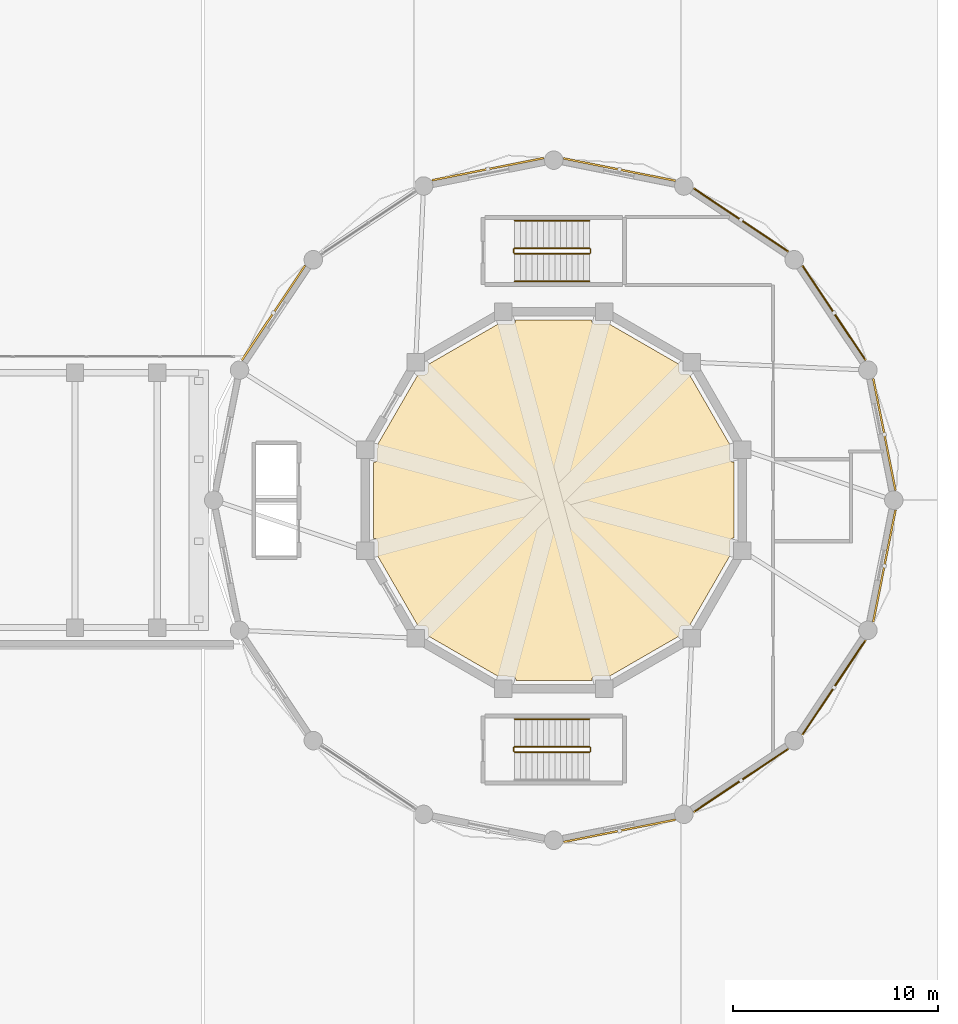
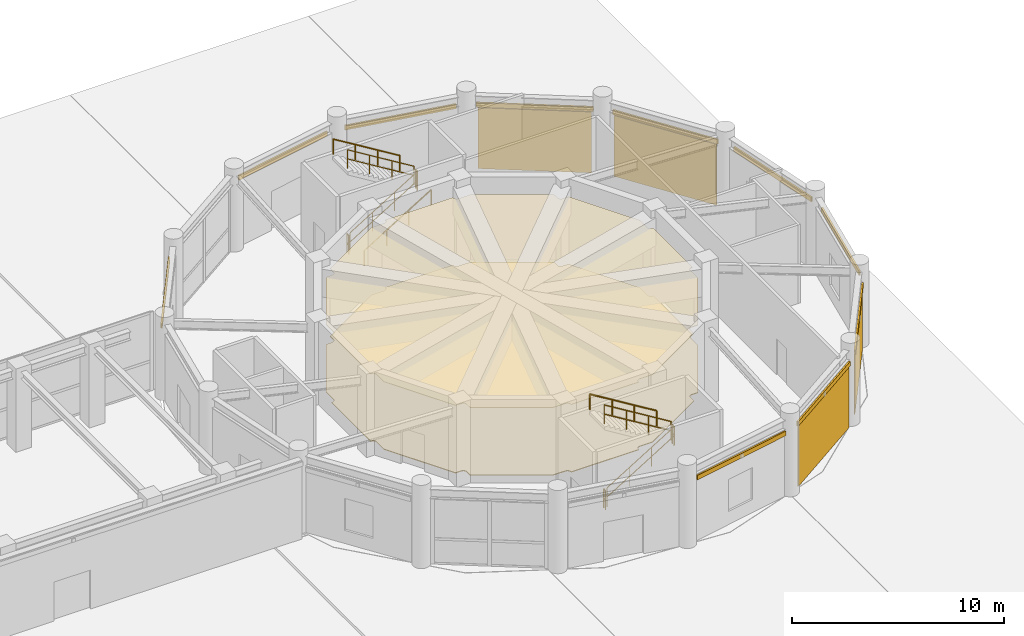
# One storey, part 38 of 40: 11 railings, 10 shading devices, 6 coverings.
"""IFC4 building model written with IfcOpenShell, lengths in metres."""

from ifc_helpers import new_model, si_unit, derived_unit, direction, frame, origin, origin_2d, place, context, subcontext, project, spatial, polyline, hollow_rectangle, circle, outline, extrude, source, transform, mapped, material, layer, layer_set, material_profile, profile_set, type_object, element, save


model = new_model("IFC4")

# Units and contexts
model_context = context("Model", 3, precision=1e-05, world=origin(), true_north=direction((0.0, 1.0)))
body_context = subcontext(model_context, "Body", "Model", "MODEL_VIEW")
ifc_project = project(units=[si_unit("LENGTHUNIT", "METRE"), si_unit("AREAUNIT", "SQUARE_METRE"), si_unit("VOLUMEUNIT", "CUBIC_METRE"), si_unit("PLANEANGLEUNIT", "RADIAN"), si_unit("MASSUNIT", "GRAM", prefix="KILO"), derived_unit("THERMALTRANSMITTANCEUNIT", [(si_unit("POWERUNIT", "WATT"), 1), (si_unit("LENGTHUNIT", "METRE"), -2), (si_unit("THERMODYNAMICTEMPERATUREUNIT", "KELVIN"), -1)])], contexts=[model_context])

# Site, building, storey
site_placement = place(None, origin())
site = spatial("IfcSite", under=ifc_project, at=site_placement, CompositionType="ELEMENT")
building_placement = place(site_placement, origin())
building = spatial("IfcBuilding", under=site, at=building_placement, Name="Korsvarv Bourse and Concert Hall", CompositionType="ELEMENT")
storey_placement = place(building_placement, origin())
storey = spatial("IfcBuildingStorey", under=building, at=storey_placement, Name="L00", CompositionType="ELEMENT", Elevation=0.0)

# Coverings
ifc_material_1 = material(Name="Perforated mineral-wool and birch acoustic baffle ceiling", Category="wood")
ifc_layer_1 = layer(ifc_material_1, 0.02490234375)
ifc_layer_set_1 = layer_set([ifc_layer_1], Name="Perforated mineral-wool and birch acoustic baffle ceiling")
covering_type_1 = type_object("IfcCoveringType", Name="COV-CEIL-1", PredefinedType="CEILING", material=ifc_layer_set_1)
covering_1_placement = place(storey_placement, frame((0.0, 0.0, 3.89990234375)))
element("IfcCovering", 1, at=covering_1_placement, inside=storey, type_object=covering_type_1, Name="L00 acoustic baffle ceiling 1", PredefinedType="CEILING", context=body_context, shape_type="SweptSolid", body=[
    extrude(outline(polyline([(115.55126953125, 34.15625), (115.5166015625, 34.15283203125), (115.48291015625, 34.142578125), (115.451904296875, 34.12646484375), (115.4248046875, 34.104248046875), (115.402587890625, 34.077392578125), (115.3857421875, 34.046630859375), (115.375244140625, 34.013427734375), (115.371337890625, 33.978515625), (115.36181640625, 33.277099609375), (113.41064453125, 29.8974609375), (113.092529296875, 29.8974609375), (113.057861328125, 29.89404296875), (113.024658203125, 29.88427734375), (112.993896484375, 29.867919921875), (112.966796875, 29.84619140625), (112.9443359375, 29.819580078125), (112.927490234375, 29.789306640625), (112.916748046875, 29.756103515625), (112.91259765625, 29.7216796875), (112.90478515625, 29.390625), (109.52392578125, 27.438720703125), (108.833740234375, 27.438720703125), (108.7998046875, 27.435302734375), (108.766845703125, 27.42578125), (108.736328125, 27.41015625), (108.70947265625, 27.388916015625), (108.68701171875, 27.363037109375), (108.669921875, 27.333251953125), (108.65869140625, 27.301025390625), (108.654052734375, 27.26708984375), (108.652099609375, 27.2236328125), (104.956298828125, 27.2236328125), (104.956298828125, 27.248779296875), (104.952880859375, 27.283447265625), (104.942626953125, 27.31689453125), (104.926513671875, 27.347900390625), (104.904296875, 27.375), (104.87744140625, 27.3974609375), (104.8466796875, 27.414306640625), (104.8134765625, 27.4248046875), (104.778564453125, 27.4287109375), (104.0771484375, 27.43798828125), (100.697509765625, 29.389404296875), (100.697509765625, 29.70751953125), (100.694091796875, 29.7421875), (100.68408203125, 29.775390625), (100.66796875, 29.80615234375), (100.646240234375, 29.833251953125), (100.61962890625, 29.855712890625), (100.58935546875, 29.87255859375), (100.55615234375, 29.88330078125), (100.521728515625, 29.887451171875), (100.190673828125, 29.89501953125), (98.23876953125, 33.27587890625), (98.23876953125, 33.96630859375), (98.2353515625, 34.000244140625), (98.225830078125, 34.033203125), (98.210205078125, 34.063720703125), (98.18896484375, 34.090576171875), (98.1630859375, 34.11279296875), (98.13330078125, 34.1298828125), (98.10107421875, 34.14111328125), (98.067138671875, 34.14599609375), (98.023681640625, 34.14794921875), (98.023681640625, 37.84375), (98.048583984375, 37.84375), (98.08349609375, 37.84716796875), (98.116943359375, 37.857421875), (98.14794921875, 37.87353515625), (98.175048828125, 37.895751953125), (98.197509765625, 37.922607421875), (98.21435546875, 37.953369140625), (98.224853515625, 37.986572265625), (98.228759765625, 38.021484375), (98.238037109375, 38.722900390625), (100.189208984375, 42.1025390625), (100.507568359375, 42.1025390625), (100.5419921875, 42.10595703125), (100.575439453125, 42.11572265625), (100.606201171875, 42.132080078125), (100.63330078125, 42.15380859375), (100.65576171875, 42.180419921875), (100.672607421875, 42.210693359375), (100.683349609375, 42.243896484375), (100.6875, 42.2783203125), (100.695068359375, 42.609375), (104.075927734375, 44.561279296875), (104.76611328125, 44.561279296875), (104.80029296875, 44.564697265625), (104.8330078125, 44.57421875), (104.863525390625, 44.58984375), (104.890380859375, 44.611083984375), (104.912841796875, 44.636962890625), (104.929931640625, 44.666748046875), (104.941162109375, 44.698974609375), (104.946044921875, 44.73291015625), (104.947998046875, 44.7763671875), (108.643798828125, 44.7763671875), (108.643798828125, 44.751220703125), (108.647216796875, 44.716552734375), (108.6572265625, 44.68310546875), (108.673583984375, 44.652099609375), (108.69580078125, 44.625), (108.72265625, 44.6025390625), (108.75341796875, 44.585693359375), (108.78662109375, 44.5751953125), (108.8212890625, 44.5712890625), (109.52294921875, 44.56201171875), (112.902587890625, 42.610595703125), (112.902587890625, 42.29248046875), (112.906005859375, 42.2578125), (112.915771484375, 42.224609375), (112.931884765625, 42.19384765625), (112.953857421875, 42.166748046875), (112.980224609375, 42.144287109375), (113.0107421875, 42.12744140625), (113.043701171875, 42.11669921875), (113.078369140625, 42.112548828125), (113.4091796875, 42.10498046875), (115.361328125, 38.72412109375), (115.361328125, 38.03369140625), (115.364501953125, 37.999755859375), (115.374267578125, 37.966796875), (115.389892578125, 37.936279296875), (115.4111328125, 37.909423828125), (115.43701171875, 37.88720703125), (115.466796875, 37.8701171875), (115.4990234375, 37.85888671875), (115.532958984375, 37.85400390625), (115.576416015625, 37.85205078125), (115.576416015625, 34.15625), (115.55126953125, 34.15625)])), origin(), (0.0, 0.0, 1.0), 0.025146484375),
])
ifc_material_2 = material(Name="Warm iron-oxide extruded terracotta rainscreen tile", Category="ceramic")
ifc_layer_2 = layer(ifc_material_2, 0.044921875)
ifc_layer_set_2 = layer_set([ifc_layer_2], Name="Warm iron-oxide extruded terracotta rainscreen tile")
covering_type_2 = type_object("IfcCoveringType", Name="COV-CLD-TC", PredefinedType="CLADDING", material=ifc_layer_set_2)
covering_2_placement = place(storey_placement, origin())
element("IfcCovering", 2, at=covering_2_placement, inside=storey, type_object=covering_type_2, Name="L00 fluted terracotta cladding panel EW-L00-CHD02", PredefinedType="CLADDING", context=body_context, shape_type="SweptSolid", body=[
    extrude(outline(polyline([(121.9052734375, 42.853271484375), (118.912109375, 47.332763671875), (118.949462890625, 47.35791015625), (121.942626953125, 42.878173828125), (121.9052734375, 42.853271484375)])), origin(), (0.0, 0.0, 1.0), 3.510009765625),
])
covering_3_placement = place(storey_placement, origin())
element("IfcCovering", 3, at=covering_3_placement, inside=storey, type_object=covering_type_2, Name="L00 fluted terracotta cladding panel EW-L00-CHD03", PredefinedType="CLADDING", context=body_context, shape_type="SweptSolid", body=[
    extrude(outline(polyline([(118.1328125, 48.112060546875), (113.6533203125, 51.105224609375), (113.67822265625, 51.142578125), (118.15771484375, 48.1494140625), (118.1328125, 48.112060546875)])), origin(), (0.0, 0.0, 1.0), 3.510009765625),
])
covering_4_placement = place(storey_placement, origin())
element("IfcCovering", 4, at=covering_4_placement, inside=storey, type_object=covering_type_2, Name="L00 fluted terracotta cladding panel EW-L00-CHD14", PredefinedType="CLADDING", context=body_context, shape_type="SweptSolid", body=[
    extrude(outline(polyline([(113.6533203125, 20.894775390625), (118.1328125, 23.887939453125), (118.15771484375, 23.8505859375), (113.67822265625, 20.857421875), (113.6533203125, 20.894775390625)])), origin(), (0.0, 0.0, 1.0), 3.510009765625),
])
covering_5_placement = place(storey_placement, origin())
element("IfcCovering", 5, at=covering_5_placement, inside=storey, type_object=covering_type_2, Name="L00 fluted terracotta cladding panel EW-L00-CHD15", PredefinedType="CLADDING", context=body_context, shape_type="SweptSolid", body=[
    extrude(outline(polyline([(118.912109375, 24.667236328125), (121.9052734375, 29.146728515625), (121.942626953125, 29.121826171875), (118.949462890625, 24.64208984375), (118.912109375, 24.667236328125)])), origin(), (0.0, 0.0, 1.0), 3.510009765625),
])
ifc_material_3 = material(Name="Calcium-sulphate raised access trading floor with Nordic oak top", Category="wood")
ifc_layer_3 = layer(ifc_material_3, 0.0400390625)
ifc_layer_set_3 = layer_set([ifc_layer_3], Name="Calcium-sulphate raised access trading floor with Nordic oak top")
covering_type_3 = type_object("IfcCoveringType", Name="COV-FLOR-1", PredefinedType="FLOORING", material=ifc_layer_set_3)
covering_6_placement = place(storey_placement, origin())
element("IfcCovering", 6, at=covering_6_placement, inside=storey, type_object=covering_type_3, Name="L00 raised access oak floor finish 1", PredefinedType="FLOORING", context=body_context, shape_type="SweptSolid", body=[
    extrude(outline(polyline([(115.55126953125, 34.15625), (115.5166015625, 34.15283203125), (115.48291015625, 34.142578125), (115.451904296875, 34.12646484375), (115.4248046875, 34.104248046875), (115.402587890625, 34.077392578125), (115.3857421875, 34.046630859375), (115.375244140625, 34.013427734375), (115.371337890625, 33.978515625), (115.36181640625, 33.277099609375), (113.41064453125, 29.8974609375), (113.092529296875, 29.8974609375), (113.057861328125, 29.89404296875), (113.024658203125, 29.88427734375), (112.993896484375, 29.867919921875), (112.966796875, 29.84619140625), (112.9443359375, 29.819580078125), (112.927490234375, 29.789306640625), (112.916748046875, 29.756103515625), (112.91259765625, 29.7216796875), (112.90478515625, 29.390625), (109.52392578125, 27.438720703125), (108.833740234375, 27.438720703125), (108.7998046875, 27.435302734375), (108.766845703125, 27.42578125), (108.736328125, 27.41015625), (108.70947265625, 27.388916015625), (108.68701171875, 27.363037109375), (108.669921875, 27.333251953125), (108.65869140625, 27.301025390625), (108.654052734375, 27.26708984375), (108.652099609375, 27.2236328125), (104.956298828125, 27.2236328125), (104.956298828125, 27.248779296875), (104.952880859375, 27.283447265625), (104.942626953125, 27.31689453125), (104.926513671875, 27.347900390625), (104.904296875, 27.375), (104.87744140625, 27.3974609375), (104.8466796875, 27.414306640625), (104.8134765625, 27.4248046875), (104.778564453125, 27.4287109375), (104.0771484375, 27.43798828125), (100.697509765625, 29.389404296875), (100.697509765625, 29.70751953125), (100.694091796875, 29.7421875), (100.68408203125, 29.775390625), (100.66796875, 29.80615234375), (100.646240234375, 29.833251953125), (100.61962890625, 29.855712890625), (100.58935546875, 29.87255859375), (100.55615234375, 29.88330078125), (100.521728515625, 29.887451171875), (100.190673828125, 29.89501953125), (98.23876953125, 33.27587890625), (98.23876953125, 33.96630859375), (98.2353515625, 34.000244140625), (98.225830078125, 34.033203125), (98.210205078125, 34.063720703125), (98.18896484375, 34.090576171875), (98.1630859375, 34.11279296875), (98.13330078125, 34.1298828125), (98.10107421875, 34.14111328125), (98.067138671875, 34.14599609375), (98.023681640625, 34.14794921875), (98.023681640625, 37.84375), (98.048583984375, 37.84375), (98.08349609375, 37.84716796875), (98.116943359375, 37.857421875), (98.14794921875, 37.87353515625), (98.175048828125, 37.895751953125), (98.197509765625, 37.922607421875), (98.21435546875, 37.953369140625), (98.224853515625, 37.986572265625), (98.228759765625, 38.021484375), (98.238037109375, 38.722900390625), (100.189208984375, 42.1025390625), (100.507568359375, 42.1025390625), (100.5419921875, 42.10595703125), (100.575439453125, 42.11572265625), (100.606201171875, 42.132080078125), (100.63330078125, 42.15380859375), (100.65576171875, 42.180419921875), (100.672607421875, 42.210693359375), (100.683349609375, 42.243896484375), (100.6875, 42.2783203125), (100.695068359375, 42.609375), (104.075927734375, 44.561279296875), (104.76611328125, 44.561279296875), (104.80029296875, 44.564697265625), (104.8330078125, 44.57421875), (104.863525390625, 44.58984375), (104.890380859375, 44.611083984375), (104.912841796875, 44.636962890625), (104.929931640625, 44.666748046875), (104.941162109375, 44.698974609375), (104.946044921875, 44.73291015625), (104.947998046875, 44.7763671875), (108.643798828125, 44.7763671875), (108.643798828125, 44.751220703125), (108.647216796875, 44.716552734375), (108.6572265625, 44.68310546875), (108.673583984375, 44.652099609375), (108.69580078125, 44.625), (108.72265625, 44.6025390625), (108.75341796875, 44.585693359375), (108.78662109375, 44.5751953125), (108.8212890625, 44.5712890625), (109.52294921875, 44.56201171875), (112.902587890625, 42.610595703125), (112.902587890625, 42.29248046875), (112.906005859375, 42.2578125), (112.915771484375, 42.224609375), (112.931884765625, 42.19384765625), (112.953857421875, 42.166748046875), (112.980224609375, 42.144287109375), (113.0107421875, 42.12744140625), (113.043701171875, 42.11669921875), (113.078369140625, 42.112548828125), (113.4091796875, 42.10498046875), (115.361328125, 38.72412109375), (115.361328125, 38.03369140625), (115.364501953125, 37.999755859375), (115.374267578125, 37.966796875), (115.389892578125, 37.936279296875), (115.4111328125, 37.909423828125), (115.43701171875, 37.88720703125), (115.466796875, 37.8701171875), (115.4990234375, 37.85888671875), (115.532958984375, 37.85400390625), (115.576416015625, 37.85205078125), (115.576416015625, 34.15625), (115.55126953125, 34.15625)])), origin(), (0.0, 0.0, 1.0), 0.0400390625),
])

# Railings
ifc_material_4 = material(Name="Painted Steel S355 stair well guardrail", Category="steel")
railing_type_1 = type_object("IfcRailingType", Name="RL-ST-GRD", PredefinedType="GUARDRAIL", material=ifc_material_4)
railing_1_placement = place(storey_placement, frame((104.89990234375, 48.0, 0.17138671875)))
element("IfcRailing", 7, at=railing_1_placement, inside=storey, type_object=railing_type_1, Name="L00 ST-CH1 stair guard 1", PredefinedType="GUARDRAIL", context=body_context, shape_type="SweptSolid", body=[
    extrude(circle(Radius=0.02392578125, at=origin_2d()), frame((0.0, 0.0, 1.076171875), z_axis=(0.852865859571, 0.0, 0.52213008492), x_axis=(0.0, 1.0, 0.0)), (0.0, 0.0, 1.0), 4.26806640625),
    extrude(circle(Radius=0.02392578125, at=origin_2d()), frame((0.0, 0.0, 0.550048828125), z_axis=(0.852865859571, 0.0, 0.52213008492), x_axis=(0.0, 1.0, 0.0)), (0.0, 0.0, 1.0), 4.26806640625),
    extrude(circle(Radius=0.02099609375, at=origin_2d()), origin(), (0.0, 0.0, 1.0), 1.052001953125),
    extrude(circle(Radius=0.02099609375, at=origin_2d()), frame((1.21337890625, 0.0, 0.742919921875)), (0.0, 0.0, 1.0), 1.052001953125),
    extrude(circle(Radius=0.02099609375, at=origin_2d()), frame((2.4267578125, 0.0, 1.485595703125)), (0.0, 0.0, 1.0), 1.052001953125),
    extrude(circle(Radius=0.02099609375, at=origin_2d()), frame((3.64013671875, 0.0, 2.228515625)), (0.0, 0.0, 1.0), 1.052001953125),
])
railing_2_placement = place(storey_placement, frame((108.590087890625, 48.050048828125, 2.39990234375)))
element("IfcRailing", 8, at=railing_2_placement, inside=storey, type_object=railing_type_1, Name="L00 ST-CH1 stair guard 2", PredefinedType="GUARDRAIL", context=body_context, shape_type="SweptSolid", body=[
    extrude(circle(Radius=0.02392578125, at=origin_2d()), frame((0.0, 0.0, 1.076171875), z_axis=(0.0, 1.0, 0.0), x_axis=(-1.0, 0.0, 0.0)), (0.0, 0.0, 1.0), 0.159912109375),
    extrude(circle(Radius=0.02392578125, at=origin_2d()), frame((0.0, 0.0, 0.550048828125), z_axis=(0.0, 1.0, 0.0), x_axis=(-1.0, 0.0, 0.0)), (0.0, 0.0, 1.0), 0.159912109375),
    extrude(circle(Radius=0.02099609375, at=origin_2d()), origin(), (0.0, 0.0, 1.0), 1.052001953125),
    extrude(circle(Radius=0.02099609375, at=origin_2d()), frame((0.0, 0.159912109375, 0.0)), (0.0, 0.0, 1.0), 1.052001953125),
])
railing_3_placement = place(storey_placement, frame((108.5400390625, 48.260009765625, 2.571533203125)))
element("IfcRailing", 9, at=railing_3_placement, inside=storey, type_object=railing_type_1, Name="L00 ST-CH1 stair guard 3", PredefinedType="GUARDRAIL", context=body_context, shape_type="SweptSolid", body=[
    extrude(circle(Radius=0.02392578125, at=origin_2d()), frame((0.0, 0.0, 1.076171875), z_axis=(-0.852865859571, 0.0, 0.52213008492), x_axis=(0.0, -1.0, 0.0)), (0.0, 0.0, 1.0), 4.26806640625),
    extrude(circle(Radius=0.02392578125, at=origin_2d()), frame((0.0, 0.0, 0.550048828125), z_axis=(-0.852865859571, 0.0, 0.52213008492), x_axis=(0.0, -1.0, 0.0)), (0.0, 0.0, 1.0), 4.26806640625),
    extrude(circle(Radius=0.02099609375, at=origin_2d()), origin(), (0.0, 0.0, 1.0), 1.052001953125),
    extrude(circle(Radius=0.02099609375, at=origin_2d()), frame((-1.21337890625, 0.0, 0.742919921875)), (0.0, 0.0, 1.0), 1.052001953125),
    extrude(circle(Radius=0.02099609375, at=origin_2d()), frame((-2.4267578125, 0.0, 1.485595703125)), (0.0, 0.0, 1.0), 1.052001953125),
    extrude(circle(Radius=0.02099609375, at=origin_2d()), frame((-3.64013671875, 0.0, 2.228515625)), (0.0, 0.0, 1.0), 1.052001953125),
])
railing_4_placement = place(storey_placement, frame((104.85009765625, 48.050048828125, 0.0)))
element("IfcRailing", 10, at=railing_4_placement, inside=storey, type_object=railing_type_1, Name="L00 ST-CH1 stair guard 4", PredefinedType="GUARDRAIL", context=body_context, shape_type="SweptSolid", body=[
    extrude(circle(Radius=0.02392578125, at=origin_2d()), frame((0.0, 0.0, 1.076171875), z_axis=(0.0, 1.0, 0.0), x_axis=(-1.0, 0.0, 0.0)), (0.0, 0.0, 1.0), 0.159912109375),
    extrude(circle(Radius=0.02392578125, at=origin_2d()), frame((0.0, 0.0, 0.550048828125), z_axis=(0.0, 1.0, 0.0), x_axis=(-1.0, 0.0, 0.0)), (0.0, 0.0, 1.0), 0.159912109375),
    extrude(circle(Radius=0.02099609375, at=origin_2d()), origin(), (0.0, 0.0, 1.0), 1.052001953125),
    extrude(circle(Radius=0.02099609375, at=origin_2d()), frame((0.0, 0.159912109375, 0.0)), (0.0, 0.0, 1.0), 1.052001953125),
])
railing_5_placement = place(storey_placement, frame((104.89990234375, 23.739990234375, 0.17138671875)))
element("IfcRailing", 11, at=railing_5_placement, inside=storey, type_object=railing_type_1, Name="L00 ST-CH2 stair guard 1", PredefinedType="GUARDRAIL", context=body_context, shape_type="SweptSolid", body=[
    extrude(circle(Radius=0.02392578125, at=origin_2d()), frame((0.0, 0.0, 1.076171875), z_axis=(0.852865859571, 0.0, 0.52213008492), x_axis=(0.0, 1.0, 0.0)), (0.0, 0.0, 1.0), 4.26806640625),
    extrude(circle(Radius=0.02392578125, at=origin_2d()), frame((0.0, 0.0, 0.550048828125), z_axis=(0.852865859571, 0.0, 0.52213008492), x_axis=(0.0, 1.0, 0.0)), (0.0, 0.0, 1.0), 4.26806640625),
    extrude(circle(Radius=0.02099609375, at=origin_2d()), origin(), (0.0, 0.0, 1.0), 1.052001953125),
    extrude(circle(Radius=0.02099609375, at=origin_2d()), frame((1.21337890625, 0.0, 0.742919921875)), (0.0, 0.0, 1.0), 1.052001953125),
    extrude(circle(Radius=0.02099609375, at=origin_2d()), frame((2.4267578125, 0.0, 1.485595703125)), (0.0, 0.0, 1.0), 1.052001953125),
    extrude(circle(Radius=0.02099609375, at=origin_2d()), frame((3.64013671875, 0.0, 2.228515625)), (0.0, 0.0, 1.0), 1.052001953125),
])
railing_6_placement = place(storey_placement, frame((108.590087890625, 23.7900390625, 2.39990234375)))
element("IfcRailing", 12, at=railing_6_placement, inside=storey, type_object=railing_type_1, Name="L00 ST-CH2 stair guard 2", PredefinedType="GUARDRAIL", context=body_context, shape_type="SweptSolid", body=[
    extrude(circle(Radius=0.02392578125, at=origin_2d()), frame((0.0, 0.0, 1.076171875), z_axis=(0.0, 1.0, 0.0), x_axis=(-1.0, 0.0, 0.0)), (0.0, 0.0, 1.0), 0.159912109375),
    extrude(circle(Radius=0.02392578125, at=origin_2d()), frame((0.0, 0.0, 0.550048828125), z_axis=(0.0, 1.0, 0.0), x_axis=(-1.0, 0.0, 0.0)), (0.0, 0.0, 1.0), 0.159912109375),
    extrude(circle(Radius=0.02099609375, at=origin_2d()), origin(), (0.0, 0.0, 1.0), 1.052001953125),
    extrude(circle(Radius=0.02099609375, at=origin_2d()), frame((0.0, 0.159912109375, 0.0)), (0.0, 0.0, 1.0), 1.052001953125),
])
railing_7_placement = place(storey_placement, frame((108.5400390625, 24.0, 2.571533203125)))
element("IfcRailing", 13, at=railing_7_placement, inside=storey, type_object=railing_type_1, Name="L00 ST-CH2 stair guard 3", PredefinedType="GUARDRAIL", context=body_context, shape_type="SweptSolid", body=[
    extrude(circle(Radius=0.02392578125, at=origin_2d()), frame((0.0, 0.0, 1.076171875), z_axis=(-0.852865859571, 0.0, 0.52213008492), x_axis=(0.0, -1.0, 0.0)), (0.0, 0.0, 1.0), 4.26806640625),
    extrude(circle(Radius=0.02392578125, at=origin_2d()), frame((0.0, 0.0, 0.550048828125), z_axis=(-0.852865859571, 0.0, 0.52213008492), x_axis=(0.0, -1.0, 0.0)), (0.0, 0.0, 1.0), 4.26806640625),
    extrude(circle(Radius=0.02099609375, at=origin_2d()), origin(), (0.0, 0.0, 1.0), 1.052001953125),
    extrude(circle(Radius=0.02099609375, at=origin_2d()), frame((-1.21337890625, 0.0, 0.742919921875)), (0.0, 0.0, 1.0), 1.052001953125),
    extrude(circle(Radius=0.02099609375, at=origin_2d()), frame((-2.4267578125, 0.0, 1.485595703125)), (0.0, 0.0, 1.0), 1.052001953125),
    extrude(circle(Radius=0.02099609375, at=origin_2d()), frame((-3.64013671875, 0.0, 2.228515625)), (0.0, 0.0, 1.0), 1.052001953125),
])
railing_8_placement = place(storey_placement, frame((104.85009765625, 23.7900390625, 0.0)))
element("IfcRailing", 14, at=railing_8_placement, inside=storey, type_object=railing_type_1, Name="L00 ST-CH2 stair guard 4", PredefinedType="GUARDRAIL", context=body_context, shape_type="SweptSolid", body=[
    extrude(circle(Radius=0.02392578125, at=origin_2d()), frame((0.0, 0.0, 1.076171875), z_axis=(0.0, 1.0, 0.0), x_axis=(-1.0, 0.0, 0.0)), (0.0, 0.0, 1.0), 0.159912109375),
    extrude(circle(Radius=0.02392578125, at=origin_2d()), frame((0.0, 0.0, 0.550048828125), z_axis=(0.0, 1.0, 0.0), x_axis=(-1.0, 0.0, 0.0)), (0.0, 0.0, 1.0), 0.159912109375),
    extrude(circle(Radius=0.02099609375, at=origin_2d()), origin(), (0.0, 0.0, 1.0), 1.052001953125),
    extrude(circle(Radius=0.02099609375, at=origin_2d()), frame((0.0, 0.159912109375, 0.0)), (0.0, 0.0, 1.0), 1.052001953125),
])
ifc_material_5 = material(Name="Brushed stainless Steel S355 tubular handrail", Category="steel")
railing_type_2 = type_object("IfcRailingType", Name="RL-ST-HND", PredefinedType="HANDRAIL", material=ifc_material_5)
railing_9_placement = place(storey_placement, frame((104.89990234375, 46.64990234375, 0.17138671875)))
element("IfcRailing", 15, at=railing_9_placement, inside=storey, type_object=railing_type_2, Name="L00 ST-CH1 stair handrail 1", PredefinedType="HANDRAIL", context=body_context, shape_type="SweptSolid", body=[
    extrude(circle(Radius=0.02392578125, at=origin_2d()), frame((0.0, 0.0, 0.8759765625), z_axis=(0.852865859571, 0.0, 0.52213008492), x_axis=(0.0, 1.0, 0.0)), (0.0, 0.0, 1.0), 4.26806640625),
    extrude(circle(Radius=0.02099609375, at=origin_2d()), origin(), (0.0, 0.0, 1.0), 0.851806640625),
    extrude(circle(Radius=0.02099609375, at=origin_2d()), frame((1.21337890625, 0.0, 0.742919921875)), (0.0, 0.0, 1.0), 0.851806640625),
    extrude(circle(Radius=0.02099609375, at=origin_2d()), frame((2.4267578125, 0.0, 1.485595703125)), (0.0, 0.0, 1.0), 0.851806640625),
    extrude(circle(Radius=0.02099609375, at=origin_2d()), frame((3.64013671875, 0.0, 2.228515625)), (0.0, 0.0, 1.0), 0.851806640625),
])
for number, where, name in (
    (16, (108.5400390625, 49.610107421875, 2.571533203125), "L00 ST-CH1 stair handrail 2"),
    (17, (108.5400390625, 25.35009765625, 2.571533203125), "L00 ST-CH2 stair handrail 2"),
):
    element("IfcRailing", number, at=place(storey_placement, frame(where)), inside=storey, type_object=railing_type_2, Name=name, PredefinedType="HANDRAIL", context=body_context, shape_type="SweptSolid", body=[
        extrude(circle(Radius=0.02392578125, at=origin_2d()), frame((0.0, 0.0, 0.8759765625), z_axis=(-0.852865859571, 0.0, 0.52213008492), x_axis=(0.0, -1.0, 0.0)), (0.0, 0.0, 1.0), 4.26806640625),
        extrude(circle(Radius=0.02099609375, at=origin_2d()), origin(), (0.0, 0.0, 1.0), 0.851806640625),
        extrude(circle(Radius=0.02099609375, at=origin_2d()), frame((-1.21337890625, 0.0, 0.742919921875)), (0.0, 0.0, 1.0), 0.851806640625),
        extrude(circle(Radius=0.02099609375, at=origin_2d()), frame((-2.4267578125, 0.0, 1.485595703125)), (0.0, 0.0, 1.0), 0.851806640625),
        extrude(circle(Radius=0.02099609375, at=origin_2d()), frame((-3.64013671875, 0.0, 2.228515625)), (0.0, 0.0, 1.0), 0.851806640625),
    ])

# Shading devices
ifc_material_6 = material(Name="Glazed extruded architectural terracotta", Category="ceramic")
ifc_material_profile = material_profile(ifc_material_6, hollow_rectangle(XDim=0.090087890625, YDim=0.260009765625, WallThickness=0.011962890625, at=origin_2d()), Name="TC-BAG 90x260")
ifc_profile_set = profile_set([ifc_material_profile], Name="Glazed extruded architectural terracotta")
shading_device_type = type_object("IfcShadingDeviceType", Name="SHD-BAG-1", PredefinedType="USERDEFINED", material=ifc_profile_set)
shared_shape = source(origin(), body_context, "Body", "SweptSolid", [
    extrude(hollow_rectangle(XDim=0.090087890625, YDim=0.260009765625, WallThickness=0.011962890625, at=origin_2d()), origin(), (0.0, 0.0, 1.0), 5.54736328125),
])
for number, where, z_axis, x_axis, name in (
    (18, (123.432861328125, 36.48046875, 3.669921875), (-0.195100393406, 0.980783277025, 0.0), (-0.980783277025, -0.195100393406, 0.0), "L00 terracotta baguette sunshade EW-L00-CHD01"),
    (19, (121.98291015625, 42.808837890625, 3.669921875), (-0.555573305798, 0.831467559129, 0.0), (-0.831467559129, -0.555573305798, 0.0), "L00 terracotta baguette sunshade EW-L00-CHD02"),
    (20, (118.221435546875, 48.100830078125, 3.669921875), (-0.831467559129, 0.555573305798, 0.0), (-0.555573305798, -0.831467559129, 0.0), "L00 terracotta baguette sunshade EW-L00-CHD03"),
    (21, (112.72119140625, 51.550537109375, 3.669921875), (-0.980783277025, 0.195100393406, 0.0), (-0.195100393406, -0.980783277025, 0.0), "L00 terracotta baguette sunshade EW-L00-CHD04"),
    (22, (106.315673828125, 52.652587890625, 3.669921875), (-0.980783277025, -0.195100393406, 0.0), (0.195100393406, -0.980783277025, 0.0), "L00 terracotta baguette sunshade EW-L00-CHD05"),
    (23, (94.69921875, 47.42138671875, 3.669921875), (-0.555573305798, -0.831467559129, 0.0), (0.831467559129, -0.555573305798, 0.0), "L00 terracotta baguette sunshade EW-L00-CHD07"),
    (24, (107.280517578125, 19.3671875, 3.669921875), (0.980783277025, 0.195100393406, 0.0), (-0.195100393406, 0.980783277025, 0.0), "L00 terracotta baguette sunshade EW-L00-CHD13"),
    (25, (113.60888671875, 20.817138671875, 3.669921875), (0.831467559129, 0.555573305798, 0.0), (-0.555573305798, 0.831467559129, 0.0), "L00 terracotta baguette sunshade EW-L00-CHD14"),
    (26, (118.90087890625, 24.57861328125, 3.669921875), (0.555573305798, 0.831467559129, 0.0), (-0.831467559129, 0.555573305798, 0.0), "L00 terracotta baguette sunshade EW-L00-CHD15"),
    (27, (122.3505859375, 30.078857421875, 3.669921875), (0.195100393406, 0.980783277025, 0.0), (-0.980783277025, 0.195100393406, 0.0), "L00 terracotta baguette sunshade EW-L00-CHD16"),
):
    element("IfcShadingDevice", number, at=place(storey_placement, frame(where, z_axis=z_axis, x_axis=x_axis)), inside=storey, type_object=shading_device_type, Name=name, ObjectType="BAGUETTE", PredefinedType="USERDEFINED", context=body_context, shape_type="MappedRepresentation", body=[
        mapped(shared_shape, transform((0.0, 0.0, 0.0), scale=1.0)),
    ])

save(model, "model.ifc")
